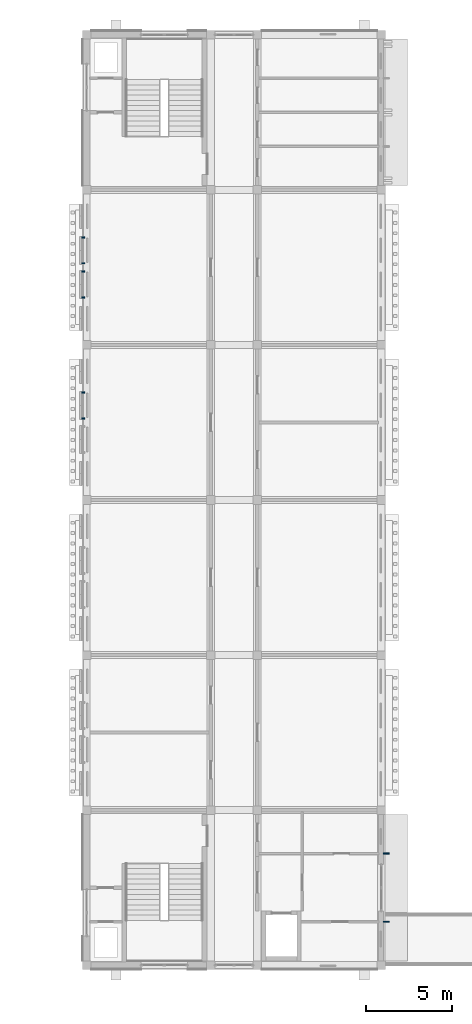
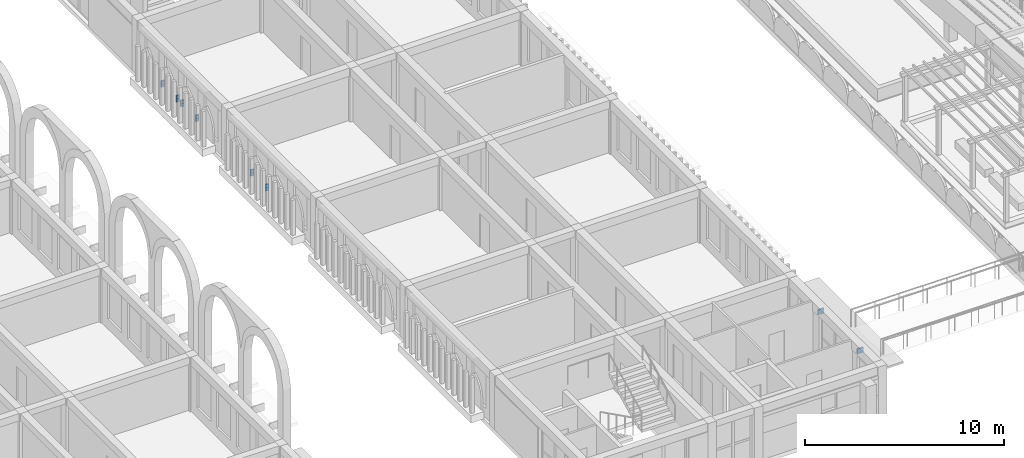
# One storey, part 53 of 70: 14 discrete accessories.
"""IFC4 building model written with IfcOpenShell, lengths in metres."""

from ifc_helpers import new_model, si_unit, direction, frame, origin, origin_2d, place, context, subcontext, project, spatial, rectangle, extrude, material, type_object, element, save


model = new_model("IFC4")

# Units and contexts
model_context = context("Model", 3, precision=1e-05, world=origin(), true_north=direction((0.0, 1.0)))
body_context = subcontext(model_context, "Body", "Model", "MODEL_VIEW")
ifc_project = project(units=[si_unit("LENGTHUNIT", "METRE"), si_unit("AREAUNIT", "SQUARE_METRE"), si_unit("VOLUMEUNIT", "CUBIC_METRE"), si_unit("PLANEANGLEUNIT", "RADIAN"), si_unit("MASSUNIT", "GRAM", prefix="KILO")], contexts=[model_context])

# Site, building, storey
site_placement = place(None, origin())
site = spatial("IfcSite", under=ifc_project, at=site_placement, CompositionType="ELEMENT")
building_placement = place(site_placement, origin())
building = spatial("IfcBuilding", under=site, at=building_placement, Name="Elbe Cascade School", CompositionType="ELEMENT")
storey_placement = place(building_placement, frame((0.0, 0.0, 8.10009765625)))
storey = spatial("IfcBuildingStorey", under=building, at=storey_placement, Name="L02", CompositionType="ELEMENT", Elevation=8.10009765625)

# Discrete accessories
ifc_material = material(Name="Steel S355J2, hot-dip galvanised", Category="steel")
discrete_accessory_type = type_object("IfcDiscreteAccessoryType", Name="Bars envelope Bracket, galvanised steel", PredefinedType="BRACKET", material=ifc_material)
for number, where, z_axis, x_axis, name in (
    (1, (127.989990234375, 37.739990234375, 0.75), (0.0, 0.0, 1.0), (0.0, 1.0, 0.0), "Bracket AC7 jali.w.4.br3ll"),
    (2, (127.989990234375, 37.739990234375, 0.93994140625), (0.0, 0.0, 1.0), (0.0, 1.0, 0.0), "Bracket AC7 jali.w.4.br3lu"),
    (3, (127.989990234375, 39.239990234375, 0.75), (0.0, 0.0, 1.0), (0.0, 1.0, 0.0), "Bracket AC7 jali.w.4.br3rl"),
    (4, (127.989990234375, 39.239990234375, 0.93994140625), (0.0, 0.0, 1.0), (0.0, 1.0, 0.0), "Bracket AC7 jali.w.4.br3ru"),
    (5, (127.989990234375, 44.760009765625, 0.75), (0.0, 0.0, 1.0), (0.0, 1.0, 0.0), "Bracket AC7 jali.w.5.br2ll"),
    (6, (127.989990234375, 44.760009765625, 0.93994140625), (0.0, 0.0, 1.0), (0.0, 1.0, 0.0), "Bracket AC7 jali.w.5.br2lu"),
    (7, (127.989990234375, 46.260009765625, 0.75), (0.0, 0.0, 1.0), (0.0, 1.0, 0.0), "Bracket AC7 jali.w.5.br2rl"),
    (8, (127.989990234375, 46.260009765625, 0.93994140625), (0.0, 0.0, 1.0), (0.0, 1.0, 0.0), "Bracket AC7 jali.w.5.br2ru"),
    (9, (127.989990234375, 46.739990234375, 0.75), (0.0, 0.0, 1.0), (0.0, 1.0, 0.0), "Bracket AC7 jali.w.5.br3ll"),
    (10, (127.989990234375, 46.739990234375, 0.93994140625), (0.0, 0.0, 1.0), (0.0, 1.0, 0.0), "Bracket AC7 jali.w.5.br3lu"),
    (11, (127.989990234375, 48.239990234375, 0.75), (0.0, 0.0, 1.0), (0.0, 1.0, 0.0), "Bracket AC7 jali.w.5.br3rl"),
    (12, (127.989990234375, 48.239990234375, 0.93994140625), (0.0, 0.0, 1.0), (0.0, 1.0, 0.0), "Bracket AC7 jali.w.5.br3ru"),
):
    element("IfcDiscreteAccessory", number, at=place(storey_placement, frame(where, z_axis=z_axis, x_axis=x_axis)), inside=storey, type_object=discrete_accessory_type, Name=name, PredefinedType="BRACKET", context=body_context, shape_type="SweptSolid", body=[
        extrude(rectangle(XDim=0.080078125, YDim=0.179931640625, at=origin_2d()), origin(), (0.0, 0.0, 1.0), 0.199951171875),
    ])
for number, where, z_axis, x_axis, name in (
    (13, (145.594970703125, 8.52001953125, 2.330078125), (0.0, 0.0, 1.0), (0.0, 1.0, 0.0), "Bracket AC7 eave.e.1.br1"),
    (14, (145.594970703125, 12.47998046875, 2.330078125), (0.0, 0.0, 1.0), (0.0, 1.0, 0.0), "Bracket AC7 eave.e.1.br2"),
):
    element("IfcDiscreteAccessory", number, at=place(storey_placement, frame(where, z_axis=z_axis, x_axis=x_axis)), inside=storey, type_object=discrete_accessory_type, Name=name, PredefinedType="BRACKET", context=body_context, shape_type="SweptSolid", body=[
        extrude(rectangle(XDim=0.080078125, YDim=0.35009765625, at=origin_2d()), origin(), (0.0, 0.0, 1.0), 0.300048828125),
    ])

save(model, "model.ifc")
